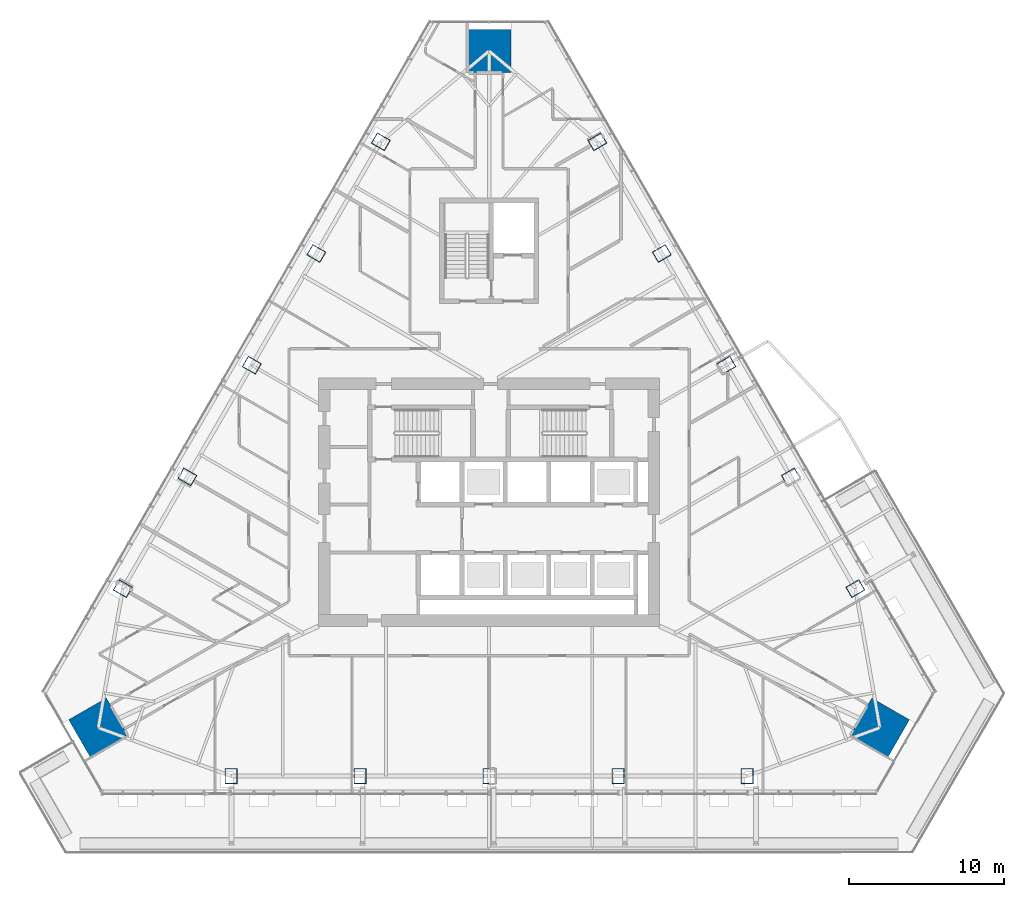
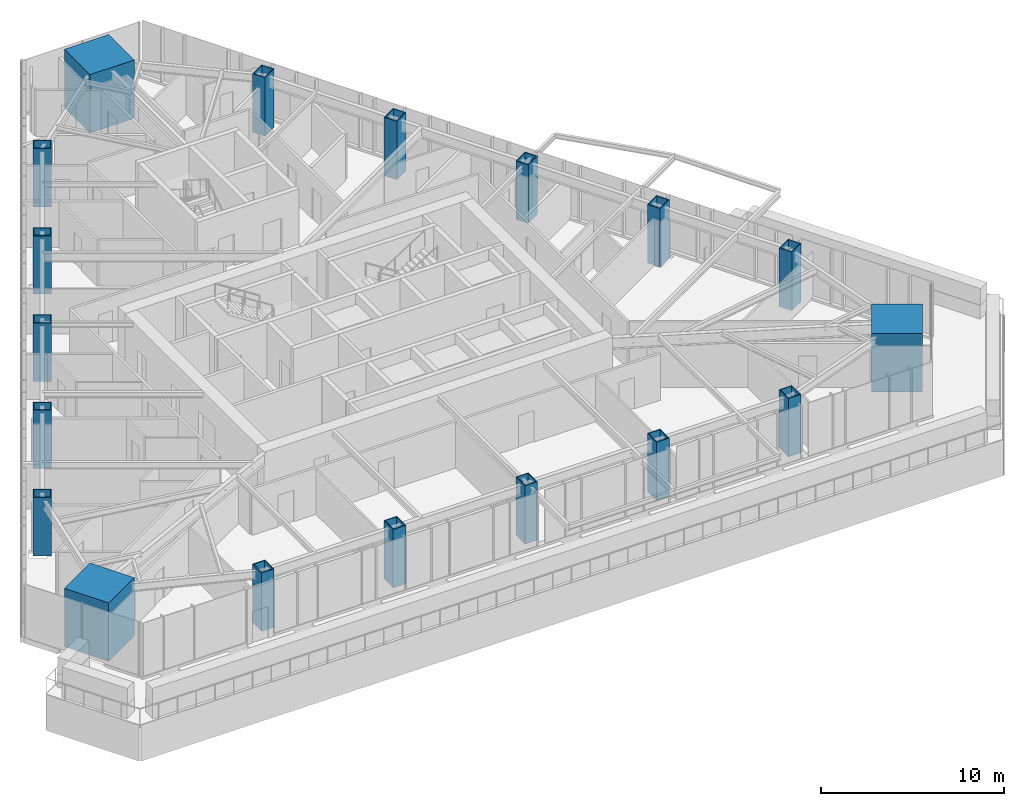
# One storey, part 1 of 21: 18 columns.
"""IFC4 building model written with IfcOpenShell, lengths in metres."""

from ifc_helpers import new_model, si_unit, direction, frame, origin, origin_2d, place, context, subcontext, project, spatial, rectangle, hollow_rectangle, extrude, material, material_profile, profile_set, type_object, element, save


model = new_model("IFC4")

# Units and contexts
model_context = context("Model", 3, precision=1e-05, world=origin(), true_north=direction((0.0, 1.0)))
body_context = subcontext(model_context, "Body", "Model", "MODEL_VIEW")
ifc_project = project(units=[si_unit("LENGTHUNIT", "METRE"), si_unit("AREAUNIT", "SQUARE_METRE"), si_unit("VOLUMEUNIT", "CUBIC_METRE"), si_unit("PLANEANGLEUNIT", "RADIAN"), si_unit("MASSUNIT", "GRAM", prefix="KILO")], contexts=[model_context])

# Site, building, storey
site_placement = place(None, origin())
site = spatial("IfcSite", under=ifc_project, at=site_placement, CompositionType="ELEMENT")
building_placement = place(site_placement, origin())
building = spatial("IfcBuilding", under=site, at=building_placement, Name="Firuza Gate Tower and Library", CompositionType="ELEMENT")
storey_placement = place(building_placement, frame((0.0, 0.0, 222.10009765625)))
storey = spatial("IfcBuildingStorey", under=building, at=storey_placement, Name="L52", CompositionType="ELEMENT", Elevation=222.10009765625)

# Columns
ifc_material_1 = material(Name="Steel S355", Category="steel")
ifc_material_profile_1 = material_profile(ifc_material_1, hollow_rectangle(XDim=0.800048828125, YDim=1.0, WallThickness=0.050048828125, at=origin_2d()))
ifc_profile_set_1 = profile_set([ifc_material_profile_1], Name="Steel S355")
column_type_1 = type_object("IfcColumnType", Name="BU1000x800x50 Composite box column", PredefinedType="COLUMN", material=ifc_profile_set_1)
for number, where, z_axis, x_axis, name in (
    (1, (58.36474609375, 57.336669921875, -0.00048828125), (0.0, 0.0, 1.0), (1.0, 0.0, 0.0), "Column S1 L52"),
    (2, (66.682373046875, 57.336669921875, -0.00048828125), (0.0, 0.0, 1.0), (1.0, 0.0, 0.0), "Column S2 L52"),
    (3, (75.0, 57.336669921875, -0.00048828125), (0.0, 0.0, 1.0), (1.0, 0.0, 0.0), "Column S3 L52"),
    (4, (83.317626953125, 57.336669921875, -0.00048828125), (0.0, 0.0, 1.0), (1.0, 0.0, 0.0), "Column S4 L52"),
    (5, (91.63525390625, 57.336669921875, -0.00048828125), (0.0, 0.0, 1.0), (1.0, 0.0, 0.0), "Column S5 L52"),
    (6, (98.614501953125, 69.42529296875, -0.00048828125), (0.0, 0.0, 1.0), (-0.5, 0.866025403784, 0.0), "Column E1 L52"),
    (7, (94.455810546875, 76.62841796875, -0.00048828125), (0.0, 0.0, 1.0), (-0.5, 0.866025403784, 0.0), "Column E2 L52"),
    (8, (90.296875, 83.831787109375, -0.00048828125), (0.0, 0.0, 1.0), (-0.5, 0.866025403784, 0.0), "Column E3 L52"),
    (9, (86.13818359375, 91.034912109375, -0.00048828125), (0.0, 0.0, 1.0), (-0.5, 0.866025403784, 0.0), "Column E4 L52"),
    (10, (81.9794921875, 98.23828125, -0.00048828125), (0.0, 0.0, 1.0), (-0.5, 0.866025403784, 0.0), "Column E5 L52"),
    (11, (68.0205078125, 98.23828125, -0.00048828125), (0.0, 0.0, 1.0), (-0.5, -0.866025403784, 0.0), "Column W1 L52"),
    (12, (63.86181640625, 91.034912109375, -0.00048828125), (0.0, 0.0, 1.0), (-0.5, -0.866025403784, 0.0), "Column W2 L52"),
    (13, (59.703125, 83.831787109375, -0.00048828125), (0.0, 0.0, 1.0), (-0.5, -0.866025403784, 0.0), "Column W3 L52"),
    (14, (55.544189453125, 76.62841796875, -0.00048828125), (0.0, 0.0, 1.0), (-0.5, -0.866025403784, 0.0), "Column W4 L52"),
    (15, (51.385498046875, 69.42529296875, -0.00048828125), (0.0, 0.0, 1.0), (-0.5, -0.866025403784, 0.0), "Column W5 L52"),
):
    element("IfcColumn", number, at=place(storey_placement, frame(where, z_axis=z_axis, x_axis=x_axis)), inside=storey, type_object=column_type_1, Name=name, PredefinedType="COLUMN", context=body_context, shape_type="SweptSolid", body=[
        extrude(hollow_rectangle(XDim=0.800048828125, YDim=1.0, WallThickness=0.050048828125, at=origin_2d()), origin(), (0.0, 0.0, 1.0), 3.900390625),
    ])
ifc_material_2 = material(Name="Concrete C80/95", Category="concrete")
ifc_material_profile_2 = material_profile(ifc_material_2, rectangle(XDim=2.800048828125, YDim=2.800048828125, at=origin_2d()))
ifc_profile_set_2 = profile_set([ifc_material_profile_2], Name="Concrete C80/95")
column_type_2 = type_object("IfcColumnType", Name="Mega column 2800x2800 C80/95", PredefinedType="COLUMN", material=ifc_profile_set_2)
for number, where, z_axis, x_axis, name in (
    (16, (100.19384765625, 60.454345703125, 0.0), (0.0, 0.0, 1.0), (0.5, 0.866025403784, 0.0), "Mega column SE L52"),
    (17, (75.0, 104.091552734375, 0.0), (0.0, 0.0, 1.0), (-1.0, 0.0, 0.0), "Mega column N L52"),
    (18, (49.80615234375, 60.454345703125, 0.0), (0.0, 0.0, 1.0), (0.5, -0.866025403784, 0.0), "Mega column SW L52"),
):
    element("IfcColumn", number, at=place(storey_placement, frame(where, z_axis=z_axis, x_axis=x_axis)), inside=storey, type_object=column_type_2, Name=name, PredefinedType="COLUMN", context=body_context, shape_type="SweptSolid", body=[
        extrude(rectangle(XDim=2.800048828125, YDim=2.800048828125, at=origin_2d()), origin(), (0.0, 0.0, 1.0), 3.89990234375),
    ])

save(model, "model.ifc")
